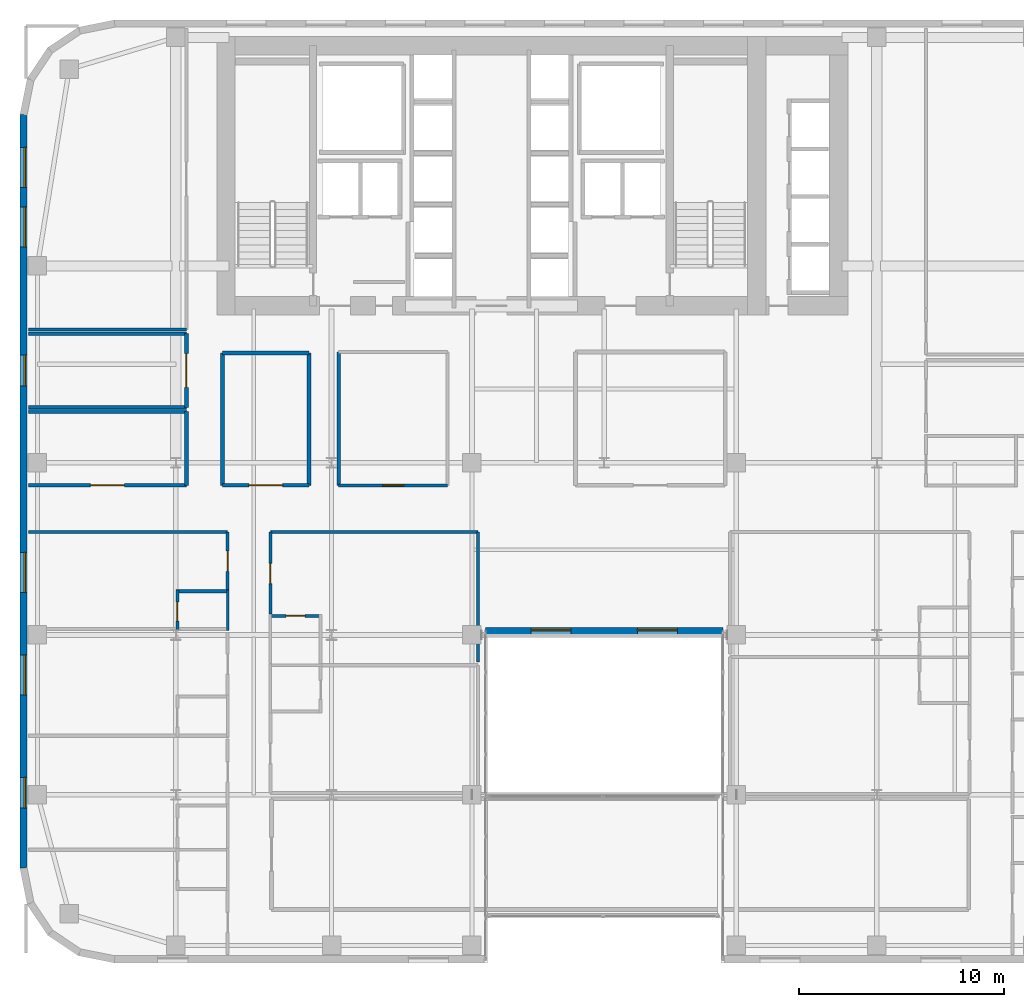
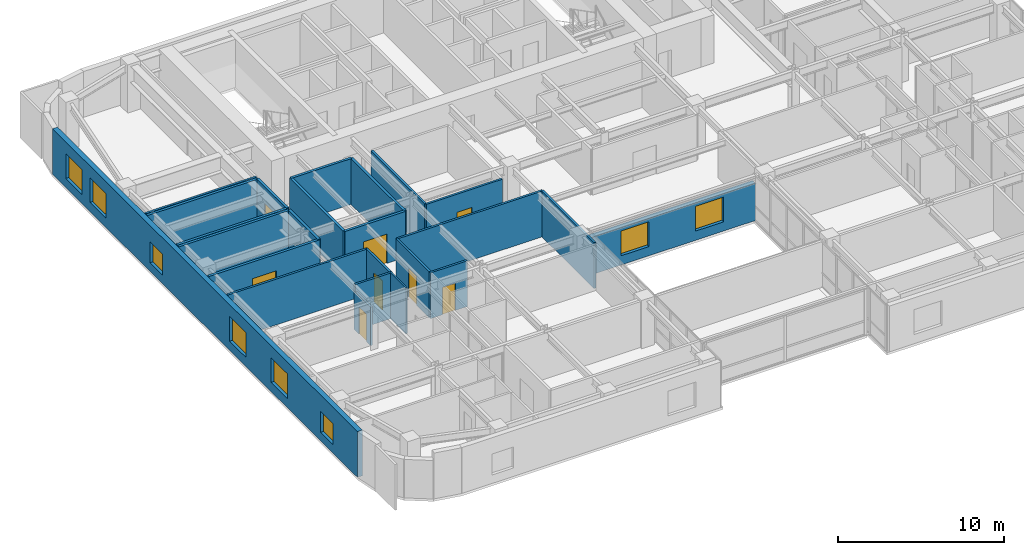
# One storey, part 19 of 25: 24 walls, 8 doors, 8 windows, 16 openings.
"""IFC4 building model written with IfcOpenShell, lengths in metres."""

from ifc_helpers import new_model, si_unit, direction, frame, frame_2d, origin, place, context, subcontext, project, spatial, rectangle, extrude, source, transform, mapped, material, layer, layer_set, type_object, type_shapes, element, fill, save


model = new_model("IFC4")

# Units and contexts
model_context = context("Model", 3, precision=1e-05, world=origin(), true_north=direction((0.0, 1.0)))
body_context = subcontext(model_context, "Body", "Model", "MODEL_VIEW")
ifc_project = project(units=[si_unit("LENGTHUNIT", "METRE"), si_unit("AREAUNIT", "SQUARE_METRE"), si_unit("VOLUMEUNIT", "CUBIC_METRE"), si_unit("PLANEANGLEUNIT", "RADIAN"), si_unit("MASSUNIT", "GRAM", prefix="KILO")], contexts=[model_context])

# Site, building, storey
site_placement = place(None, origin())
site = spatial("IfcSite", under=ifc_project, at=site_placement, CompositionType="ELEMENT")
building_placement = place(site_placement, origin())
building = spatial("IfcBuilding", under=site, at=building_placement, Name="Tolvann Quenvar Hotel", CompositionType="ELEMENT")
storey_placement = place(building_placement, frame((0.0, 0.0, 78.14990234375)))
storey = spatial("IfcBuildingStorey", under=building, at=storey_placement, Name="L19", CompositionType="ELEMENT", Elevation=78.14990234375)

# Wall, openings, windows
ifc_material_1 = material(Name="Kiln-fired red and buff architectural clay brickwork and terracotta masonry", Category="masonry")
ifc_layer_1 = layer(ifc_material_1, 0.35009765625)
ifc_layer_set_1 = layer_set([ifc_layer_1], Name="Kiln-fired red and buff architectural clay brickwork and terracotta masonry")
wall_type_1 = type_object("IfcWallType", Name="WALL_EXT_BRICK_350", PredefinedType="SOLIDWALL", material=ifc_layer_set_1)
wall_1_placement = place(storey_placement, frame((22.7099609375, 16.175048828125, 0.0), z_axis=(0.0, 0.0, 1.0), x_axis=(1.0, 0.0, 0.0)))
wall_1 = element("IfcWall", 1, at=wall_1_placement, inside=storey, type_object=wall_type_1, Name="Exterior Chicago Brick Wall L19-E06", PredefinedType="SOLIDWALL", context=body_context, shape_type="SweptSolid", body=[
    extrude(rectangle(XDim=11.580078125, YDim=0.35009765625, at=frame_2d((5.7900390625, 0.0))), origin(), (0.0, 0.0, 1.0), 2.748046875),
])
opening_1_placement = place(wall_1_placement, frame((2.219970703125, 0.0, 0.679931640625)))
opening_1 = element("IfcOpeningElement", 2, at=opening_1_placement, cuts=wall_1, Name="Opening W-10", PredefinedType="OPENING", context=body_context, shape_type="SweptSolid", body=[
    extrude(rectangle(XDim=1.949951171875, YDim=1.820068359375, at=frame_2d((0.97509765625, 0.91015625))), frame((0.0, 0.18505859375, 0.0), z_axis=(0.0, -1.0, 0.0), x_axis=(1.0, 0.0, 0.0)), (0.0, 0.0, 1.0), 0.3701171875),
])
opening_2_placement = place(wall_1_placement, frame((7.409912109375, 0.0, 0.679931640625)))
opening_2 = element("IfcOpeningElement", 3, at=opening_2_placement, cuts=wall_1, Name="Opening W-10", PredefinedType="OPENING", context=body_context, shape_type="SweptSolid", body=[
    extrude(rectangle(XDim=1.949951171875, YDim=1.820068359375, at=frame_2d((0.97509765625, 0.91015625))), frame((0.0, 0.18505859375, 0.0), z_axis=(0.0, -1.0, 0.0), x_axis=(1.0, 0.0, 0.0)), (0.0, 0.0, 1.0), 0.3701171875),
])
ifc_material_2 = material(Name="Thermally broken bronze-anodised aluminium frame with double low-E glazing", Category="aluminium")
window_type_1 = type_object("IfcWindowType", Name="WIN_CLB_1950x1850", PartitioningType="DOUBLE_PANEL_VERTICAL", PredefinedType="WINDOW", material=ifc_material_2)
shared_shape_1 = source(origin(), body_context, "Body", "SweptSolid", [
    extrude(rectangle(XDim=1.949951171875, YDim=1.820068359375, at=frame_2d((0.97509765625, 0.91015625))), frame((0.0, 0.090087890625, 0.0), z_axis=(0.0, -1.0, 0.0), x_axis=(1.0, 0.0, 0.0)), (0.0, 0.0, 1.0), 0.06005859375),
])
type_shapes(window_type_1, [shared_shape_1])
window_1_placement = place(opening_1_placement, origin())
window_1 = element("IfcWindow", 4, at=window_1_placement, inside=storey, type_object=window_type_1, Name="Chicago Window W-10 (EW-L19-E06-W01)", OverallHeight=1.820068359375, OverallWidth=1.949951171875, PartitioningType="DOUBLE_PANEL_VERTICAL", PredefinedType="WINDOW", context=body_context, shape_type="MappedRepresentation", body=[
    mapped(shared_shape_1, transform((0.0, 0.0, 0.0), x_axis=(1.0, 0.0, 0.0), y_axis=(0.0, 1.0, 0.0), z_axis=(0.0, 0.0, 1.0), scale=1.0)),
])
fill(opening_1, window_1)
window_2_placement = place(opening_2_placement, origin())
window_2 = element("IfcWindow", 5, at=window_2_placement, inside=storey, type_object=window_type_1, Name="Chicago Window W-10 (EW-L19-E06-W02)", OverallHeight=1.820068359375, OverallWidth=1.949951171875, PartitioningType="DOUBLE_PANEL_VERTICAL", PredefinedType="WINDOW", context=body_context, shape_type="MappedRepresentation", body=[
    mapped(shared_shape_1, transform((0.0, 0.0, 0.0), x_axis=(1.0, 0.0, 0.0), y_axis=(0.0, 1.0, 0.0), z_axis=(0.0, 0.0, 1.0), scale=1.0)),
])
fill(opening_2, window_2)

wall_2_placement = place(storey_placement, frame((0.175048828125, 41.3828125, 0.0), z_axis=(0.0, 0.0, 1.0), x_axis=(0.0, -1.0, 0.0)))
wall_2 = element("IfcWall", 6, at=wall_2_placement, inside=storey, type_object=wall_type_1, Name="Exterior Chicago Brick Wall L19-E23", PredefinedType="SOLIDWALL", context=body_context, shape_type="SweptSolid", body=[
    extrude(rectangle(XDim=36.765625, YDim=0.35009765625, at=frame_2d((18.3828125, 0.0))), origin(), (0.0, 0.0, 1.0), 3.3701171875),
])
opening_3_placement = place(wall_2_placement, frame((1.60107421875, 0.0, 0.679931640625)))
opening_3 = element("IfcOpeningElement", 7, at=opening_3_placement, cuts=wall_2, Name="Opening W-10", PredefinedType="OPENING", context=body_context, shape_type="SweptSolid", body=[
    extrude(rectangle(XDim=1.949951171875, YDim=1.820068359375, at=frame_2d((0.97509765625, 0.91015625))), frame((0.0, 0.18505859375, 0.0), z_axis=(0.0, -1.0, 0.0), x_axis=(1.0, 0.0, 0.0)), (0.0, 0.0, 1.0), 0.3701171875),
])
opening_4_placement = place(wall_2_placement, frame((4.5029296875, 0.0, 0.679931640625)))
opening_4 = element("IfcOpeningElement", 8, at=opening_4_placement, cuts=wall_2, Name="Opening W-10", PredefinedType="OPENING", context=body_context, shape_type="SweptSolid", body=[
    extrude(rectangle(XDim=1.949951171875, YDim=1.820068359375, at=frame_2d((0.97509765625, 0.91015625))), frame((0.0, 0.18505859375, 0.0), z_axis=(0.0, -1.0, 0.0), x_axis=(1.0, 0.0, 0.0)), (0.0, 0.0, 1.0), 0.3701171875),
])
opening_5_placement = place(wall_2_placement, frame((21.360107421875, 0.0, 0.679931640625)))
opening_5 = element("IfcOpeningElement", 9, at=opening_5_placement, cuts=wall_2, Name="Opening W-10", PredefinedType="OPENING", context=body_context, shape_type="SweptSolid", body=[
    extrude(rectangle(XDim=1.949951171875, YDim=1.820068359375, at=frame_2d((0.97509765625, 0.91015625))), frame((0.0, 0.18505859375, 0.0), z_axis=(0.0, -1.0, 0.0), x_axis=(1.0, 0.0, 0.0)), (0.0, 0.0, 1.0), 0.3701171875),
])
opening_6_placement = place(wall_2_placement, frame((26.361083984375, 0.0, 0.679931640625)))
opening_6 = element("IfcOpeningElement", 10, at=opening_6_placement, cuts=wall_2, Name="Opening W-10", PredefinedType="OPENING", context=body_context, shape_type="SweptSolid", body=[
    extrude(rectangle(XDim=1.949951171875, YDim=1.820068359375, at=frame_2d((0.97509765625, 0.91015625))), frame((0.0, 0.18505859375, 0.0), z_axis=(0.0, -1.0, 0.0), x_axis=(1.0, 0.0, 0.0)), (0.0, 0.0, 1.0), 0.3701171875),
])
opening_7_placement = place(wall_2_placement, frame((32.3330078125, 0.0, 0.6201171875)))
opening_7 = element("IfcOpeningElement", 11, at=opening_7_placement, cuts=wall_2, Name="Opening W-08", PredefinedType="OPENING", context=body_context, shape_type="SweptSolid", body=[
    extrude(rectangle(XDim=1.5, YDim=1.550048828125, at=frame_2d((0.75, 0.77490234375))), frame((0.0, 0.18505859375, 0.0), z_axis=(0.0, -1.0, 0.0), x_axis=(1.0, 0.0, 0.0)), (0.0, 0.0, 1.0), 0.3701171875),
])
opening_8_placement = place(wall_2_placement, frame((11.73291015625, 0.0, 0.6201171875)))
opening_8 = element("IfcOpeningElement", 12, at=opening_8_placement, cuts=wall_2, Name="Opening W-08", PredefinedType="OPENING", context=body_context, shape_type="SweptSolid", body=[
    extrude(rectangle(XDim=1.5, YDim=1.550048828125, at=frame_2d((0.75, 0.77490234375))), frame((0.0, 0.18505859375, 0.0), z_axis=(0.0, -1.0, 0.0), x_axis=(1.0, 0.0, 0.0)), (0.0, 0.0, 1.0), 0.3701171875),
])
window_type_2 = type_object("IfcWindowType", Name="WIN_COR_1500x2050", PartitioningType="SINGLE_PANEL", PredefinedType="WINDOW", material=ifc_material_2)
shared_shape_2 = source(origin(), body_context, "Body", "SweptSolid", [
    extrude(rectangle(XDim=1.5, YDim=1.550048828125, at=frame_2d((0.75, 0.77490234375))), frame((0.0, 0.090087890625, 0.0), z_axis=(0.0, -1.0, 0.0), x_axis=(1.0, 0.0, 0.0)), (0.0, 0.0, 1.0), 0.06005859375),
])
type_shapes(window_type_2, [shared_shape_2])
window_3_placement = place(opening_7_placement, origin())
window_3 = element("IfcWindow", 13, at=window_3_placement, inside=storey, type_object=window_type_2, Name="Chicago Window W-08 (EW-L19-E23-WD05)", OverallHeight=1.550048828125, OverallWidth=1.5, PartitioningType="SINGLE_PANEL", PredefinedType="WINDOW", context=body_context, shape_type="MappedRepresentation", body=[
    mapped(shared_shape_2, transform((0.0, 0.0, 0.0), x_axis=(1.0, 0.0, 0.0), y_axis=(0.0, 1.0, 0.0), z_axis=(0.0, 0.0, 1.0), scale=1.0)),
])
fill(opening_7, window_3)
window_4_placement = place(opening_8_placement, origin())
window_4 = element("IfcWindow", 14, at=window_4_placement, inside=storey, type_object=window_type_2, Name="Chicago Window W-08 (EW-L19-E23-WD06)", OverallHeight=1.550048828125, OverallWidth=1.5, PartitioningType="SINGLE_PANEL", PredefinedType="WINDOW", context=body_context, shape_type="MappedRepresentation", body=[
    mapped(shared_shape_2, transform((0.0, 0.0, 0.0), x_axis=(1.0, 0.0, 0.0), y_axis=(0.0, 1.0, 0.0), z_axis=(0.0, 0.0, 1.0), scale=1.0)),
])
fill(opening_8, window_4)
window_5_placement = place(opening_3_placement, origin())
window_5 = element("IfcWindow", 15, at=window_5_placement, inside=storey, type_object=window_type_1, Name="Chicago Window W-10 (EW-L19-E23-W01)", OverallHeight=1.820068359375, OverallWidth=1.949951171875, PartitioningType="DOUBLE_PANEL_VERTICAL", PredefinedType="WINDOW", context=body_context, shape_type="MappedRepresentation", body=[
    mapped(shared_shape_1, transform((0.0, 0.0, 0.0), x_axis=(1.0, 0.0, 0.0), y_axis=(0.0, 1.0, 0.0), z_axis=(0.0, 0.0, 1.0), scale=1.0)),
])
fill(opening_3, window_5)
window_6_placement = place(opening_4_placement, origin())
window_6 = element("IfcWindow", 16, at=window_6_placement, inside=storey, type_object=window_type_1, Name="Chicago Window W-10 (EW-L19-E23-W02)", OverallHeight=1.820068359375, OverallWidth=1.949951171875, PartitioningType="DOUBLE_PANEL_VERTICAL", PredefinedType="WINDOW", context=body_context, shape_type="MappedRepresentation", body=[
    mapped(shared_shape_1, transform((0.0, 0.0, 0.0), x_axis=(1.0, 0.0, 0.0), y_axis=(0.0, 1.0, 0.0), z_axis=(0.0, 0.0, 1.0), scale=1.0)),
])
fill(opening_4, window_6)
window_7_placement = place(opening_5_placement, origin())
window_7 = element("IfcWindow", 17, at=window_7_placement, inside=storey, type_object=window_type_1, Name="Chicago Window W-10 (EW-L19-E23-W03)", OverallHeight=1.820068359375, OverallWidth=1.949951171875, PartitioningType="DOUBLE_PANEL_VERTICAL", PredefinedType="WINDOW", context=body_context, shape_type="MappedRepresentation", body=[
    mapped(shared_shape_1, transform((0.0, 0.0, 0.0), x_axis=(1.0, 0.0, 0.0), y_axis=(0.0, 1.0, 0.0), z_axis=(0.0, 0.0, 1.0), scale=1.0)),
])
fill(opening_5, window_7)
window_8_placement = place(opening_6_placement, origin())
window_8 = element("IfcWindow", 18, at=window_8_placement, inside=storey, type_object=window_type_1, Name="Chicago Window W-10 (EW-L19-E23-W04)", OverallHeight=1.820068359375, OverallWidth=1.949951171875, PartitioningType="DOUBLE_PANEL_VERTICAL", PredefinedType="WINDOW", context=body_context, shape_type="MappedRepresentation", body=[
    mapped(shared_shape_1, transform((0.0, 0.0, 0.0), x_axis=(1.0, 0.0, 0.0), y_axis=(0.0, 1.0, 0.0), z_axis=(0.0, 0.0, 1.0), scale=1.0)),
])
fill(opening_6, window_8)

# Wall, opening, door
ifc_material_3 = material(Name="Acoustic twin-stud fire-rated gypsum plasterboard partition")
ifc_layer_2 = layer(ifc_material_3, 0.179931640625)
ifc_layer_set_2 = layer_set([ifc_layer_2], Name="Acoustic twin-stud fire-rated gypsum plasterboard partition")
wall_type_2 = type_object("IfcWallType", Name="WALL_PART_ACOUSTIC_180", PredefinedType="PARTITIONING", material=ifc_layer_set_2)
wall_3_placement = place(storey_placement, frame((0.405029296875, 23.300048828125, 0.0), z_axis=(0.0, 0.0, 1.0), x_axis=(1.0, 0.0, 0.0)))
wall_3 = element("IfcWall", 19, at=wall_3_placement, inside=storey, type_object=wall_type_2, Name="Interior Partition PT-SPC-L19-SAL-S", PredefinedType="PARTITIONING", context=body_context, shape_type="SweptSolid", body=[
    extrude(rectangle(XDim=7.715087890625, YDim=0.179931640625, at=frame_2d((3.857421875, 0.0))), origin(), (0.0, 0.0, 1.0), 3.3701171875),
])
opening_9_placement = place(wall_3_placement, frame((3.032470703125, 0.0, 0.0)))
opening_9 = element("IfcOpeningElement", 20, at=opening_9_placement, cuts=wall_3, Name="Opening AD-01", PredefinedType="OPENING", context=body_context, shape_type="SweptSolid", body=[
    extrude(rectangle(XDim=1.64990234375, YDim=2.14990234375, at=frame_2d((0.824951171875, 1.074951171875))), frame((0.0, 0.10009765625, 0.0), z_axis=(0.0, -1.0, 0.0), x_axis=(1.0, 0.0, 0.0)), (0.0, 0.0, 1.0), 0.199951171875),
])
ifc_material_4 = material(Name="Solid-core American oak acoustic fire door leaf in steel frame", Category="steel")
door_type_1 = type_object("IfcDoorType", Name="DOOR_SALON_1650", OperationType="NOTDEFINED", PredefinedType="DOOR", material=ifc_material_4)
shared_shape_3 = source(origin(), body_context, "Body", "SweptSolid", [
    extrude(rectangle(XDim=1.64990234375, YDim=2.14990234375, at=frame_2d((0.824951171875, 1.074951171875))), frame((0.0, 0.02490234375, 0.0), z_axis=(0.0, -1.0, 0.0), x_axis=(1.0, 0.0, 0.0)), (0.0, 0.0, 1.0), 0.050048828125),
])
type_shapes(door_type_1, [shared_shape_3])
door_1_placement = place(opening_9_placement, origin())
door_1 = element("IfcDoor", 21, at=door_1_placement, inside=storey, type_object=door_type_1, Name="Interior Door DOOR-SPC-L19-SAL", OperationType="DOUBLE_DOOR_SINGLE_SWING", OverallHeight=2.14990234375, OverallWidth=1.64990234375, PredefinedType="DOOR", context=body_context, shape_type="MappedRepresentation", body=[
    mapped(shared_shape_3, transform((0.0, 0.0, 0.0), x_axis=(1.0, 0.0, 0.0), y_axis=(0.0, 1.0, 0.0), z_axis=(0.0, 0.0, 1.0), scale=1.0)),
])
fill(opening_9, door_1)

# Walls
wall_4_placement = place(storey_placement, frame((0.405029296875, 26.89990234375, 0.0), z_axis=(0.0, 0.0, 1.0), x_axis=(1.0, 0.0, 0.0)))
element("IfcWall", 22, at=wall_4_placement, inside=storey, type_object=wall_type_2, Name="Interior Partition PT-SPC-L19-SAL-N", PredefinedType="PARTITIONING", context=body_context, shape_type="SweptSolid", body=[
    extrude(rectangle(XDim=7.715087890625, YDim=0.179931640625, at=frame_2d((3.857421875, 0.0))), origin(), (0.0, 0.0, 1.0), 3.3701171875),
])
wall_5_placement = place(storey_placement, frame((8.1201171875, 23.300048828125, 0.0), z_axis=(0.0, 0.0, 1.0), x_axis=(0.0, 1.0, 0.0)))
element("IfcWall", 23, at=wall_5_placement, inside=storey, type_object=wall_type_2, Name="Interior Partition PT-SPC-L19-SAL-E", PredefinedType="PARTITIONING", context=body_context, shape_type="SweptSolid", body=[
    extrude(rectangle(XDim=3.599853515625, YDim=0.179931640625, at=frame_2d((1.7998046875, 0.0))), origin(), (0.0, 0.0, 1.0), 3.3701171875),
])
for number, where, z_axis, x_axis, name in (
    (24, (0.405029296875, 27.10009765625, 0.0), (0.0, 0.0, 1.0), (1.0, 0.0, 0.0), "Interior Partition PT-SPC-L19-MTG-S"),
    (25, (0.405029296875, 30.699951171875, 0.0), (0.0, 0.0, 1.0), (1.0, 0.0, 0.0), "Interior Partition PT-SPC-L19-MTG-N"),
):
    element("IfcWall", number, at=place(storey_placement, frame(where, z_axis=z_axis, x_axis=x_axis)), inside=storey, type_object=wall_type_2, Name=name, PredefinedType="PARTITIONING", context=body_context, shape_type="SweptSolid", body=[
        extrude(rectangle(XDim=7.715087890625, YDim=0.179931640625, at=frame_2d((3.857421875, 0.0))), origin(), (0.0, 0.0, 1.0), 3.3701171875),
    ])

# Wall, opening, door
wall_6_placement = place(storey_placement, frame((8.1201171875, 27.10009765625, 0.0), z_axis=(0.0, 0.0, 1.0), x_axis=(0.0, 1.0, 0.0)))
wall_6 = element("IfcWall", 26, at=wall_6_placement, inside=storey, type_object=wall_type_2, Name="Interior Partition PT-SPC-L19-MTG-E", PredefinedType="PARTITIONING", context=body_context, shape_type="SweptSolid", body=[
    extrude(rectangle(XDim=3.599853515625, YDim=0.179931640625, at=frame_2d((1.7998046875, 0.0))), origin(), (0.0, 0.0, 1.0), 3.3701171875),
])
opening_10_placement = place(wall_6_placement, frame((0.97509765625, 0.0, 0.0)))
opening_10 = element("IfcOpeningElement", 27, at=opening_10_placement, cuts=wall_6, Name="Opening AD-01", PredefinedType="OPENING", context=body_context, shape_type="SweptSolid", body=[
    extrude(rectangle(XDim=1.64990234375, YDim=2.14990234375, at=frame_2d((0.824951171875, 1.074951171875))), frame((0.0, 0.10009765625, 0.0), z_axis=(0.0, -1.0, 0.0), x_axis=(1.0, 0.0, 0.0)), (0.0, 0.0, 1.0), 0.199951171875),
])
door_2_placement = place(opening_10_placement, origin())
door_2 = element("IfcDoor", 28, at=door_2_placement, inside=storey, type_object=door_type_1, Name="Interior Door DOOR-SPC-L19-MTG", OperationType="DOUBLE_DOOR_SINGLE_SWING", OverallHeight=2.14990234375, OverallWidth=1.64990234375, PredefinedType="DOOR", context=body_context, shape_type="MappedRepresentation", body=[
    mapped(shared_shape_3, transform((0.0, 0.0, 0.0), x_axis=(1.0, 0.0, 0.0), y_axis=(0.0, 1.0, 0.0), z_axis=(0.0, 0.0, 1.0), scale=1.0)),
])
fill(opening_10, door_2)

wall_7_placement = place(storey_placement, frame((9.8798828125, 23.300048828125, 0.0), z_axis=(0.0, 0.0, 1.0), x_axis=(1.0, 0.0, 0.0)))
wall_7 = element("IfcWall", 29, at=wall_7_placement, inside=storey, type_object=wall_type_2, Name="Interior Partition PT-SPC-L19-MSP-W-S", PredefinedType="PARTITIONING", context=body_context, shape_type="SweptSolid", body=[
    extrude(rectangle(XDim=4.22021484375, YDim=0.179931640625, at=frame_2d((2.110107421875, 0.0))), origin(), (0.0, 0.0, 1.0), 3.3701171875),
])
opening_11_placement = place(wall_7_placement, frame((1.284912109375, 0.0, 0.0)))
opening_11 = element("IfcOpeningElement", 30, at=opening_11_placement, cuts=wall_7, Name="Opening AD-01", PredefinedType="OPENING", context=body_context, shape_type="SweptSolid", body=[
    extrude(rectangle(XDim=1.64990234375, YDim=2.14990234375, at=frame_2d((0.824951171875, 1.074951171875))), frame((0.0, 0.10009765625, 0.0), z_axis=(0.0, -1.0, 0.0), x_axis=(1.0, 0.0, 0.0)), (0.0, 0.0, 1.0), 0.199951171875),
])
door_3_placement = place(opening_11_placement, origin())
door_3 = element("IfcDoor", 31, at=door_3_placement, inside=storey, type_object=door_type_1, Name="Interior Door DOOR-SPC-L19-MSP-W", OperationType="DOUBLE_DOOR_SINGLE_SWING", OverallHeight=2.14990234375, OverallWidth=1.64990234375, PredefinedType="DOOR", context=body_context, shape_type="MappedRepresentation", body=[
    mapped(shared_shape_3, transform((0.0, 0.0, 0.0), x_axis=(1.0, 0.0, 0.0), y_axis=(0.0, 1.0, 0.0), z_axis=(0.0, 0.0, 1.0), scale=1.0)),
])
fill(opening_11, door_3)

# Walls
wall_8_placement = place(storey_placement, frame((9.8798828125, 29.75, 0.0), z_axis=(0.0, 0.0, 1.0), x_axis=(1.0, 0.0, 0.0)))
element("IfcWall", 32, at=wall_8_placement, inside=storey, type_object=wall_type_2, Name="Interior Partition PT-SPC-L19-MSP-W-N", PredefinedType="PARTITIONING", context=body_context, shape_type="SweptSolid", body=[
    extrude(rectangle(XDim=4.22021484375, YDim=0.179931640625, at=frame_2d((2.110107421875, 0.0))), origin(), (0.0, 0.0, 1.0), 3.3701171875),
])
for number, where, z_axis, x_axis, name in (
    (33, (9.8798828125, 23.300048828125, 0.0), (0.0, 0.0, 1.0), (0.0, 1.0, 0.0), "Interior Partition PT-SPC-L19-MSP-W-W"),
    (34, (14.10009765625, 23.300048828125, 0.0), (0.0, 0.0, 1.0), (0.0, 1.0, 0.0), "Interior Partition PT-SPC-L19-MSP-W-E"),
):
    element("IfcWall", number, at=place(storey_placement, frame(where, z_axis=z_axis, x_axis=x_axis)), inside=storey, type_object=wall_type_2, Name=name, PredefinedType="PARTITIONING", context=body_context, shape_type="SweptSolid", body=[
        extrude(rectangle(XDim=6.449951171875, YDim=0.179931640625, at=frame_2d((3.22509765625, 0.0))), origin(), (0.0, 0.0, 1.0), 3.3701171875),
    ])
ifc_material_5 = material(Name="Moisture-resistant acoustic plumbing wall assembly")
ifc_layer_3 = layer(ifc_material_5, 0.1201171875)
ifc_layer_set_3 = layer_set([ifc_layer_3], Name="Moisture-resistant acoustic plumbing wall assembly")
wall_type_3 = type_object("IfcWallType", Name="WALL_PART_BATH_120", PredefinedType="PLUMBINGWALL", material=ifc_layer_set_3)
wall_9_placement = place(storey_placement, frame((10.1298828125, 16.2099609375, 0.0), z_axis=(0.0, 0.0, 1.0), x_axis=(0.0, 1.0, 0.0)))
element("IfcWall", 35, at=wall_9_placement, inside=storey, type_object=wall_type_3, Name="Non-Rated Plumbing Partition PT-SPC-L19-ENS-WO04-E", PredefinedType="PLUMBINGWALL", context=body_context, shape_type="SweptSolid", body=[
    extrude(rectangle(XDim=1.989990234375, YDim=0.1201171875, at=frame_2d((0.9951171875, 0.0))), origin(), (0.0, 0.0, 1.0), 3.3701171875),
])

# Wall, opening, door
ifc_layer_4 = layer(ifc_material_3, 0.14990234375)
ifc_layer_set_4 = layer_set([ifc_layer_4], Name="Acoustic twin-stud fire-rated gypsum plasterboard partition")
wall_type_4 = type_object("IfcWallType", Name="WALL_PART_SUITE_150", PredefinedType="PARTITIONING", material=ifc_layer_set_4)
wall_10_placement = place(storey_placement, frame((7.679931640625, 16.2099609375, 0.0), z_axis=(0.0, 0.0, 1.0), x_axis=(0.0, 1.0, 0.0)))
wall_10 = element("IfcWall", 36, at=wall_10_placement, inside=storey, type_object=wall_type_4, Name="Interior Partition PT-SPC-L19-ENS-WO04-ENT", PredefinedType="PARTITIONING", context=body_context, shape_type="SweptSolid", body=[
    extrude(rectangle(XDim=1.989990234375, YDim=0.14990234375, at=frame_2d((0.9951171875, 0.0))), origin(), (0.0, 0.0, 1.0), 2.8271484375),
])
opening_12_placement = place(wall_10_placement, frame((0.465087890625, 0.0, 0.0)))
opening_12 = element("IfcOpeningElement", 37, at=opening_12_placement, cuts=wall_10, Name="Opening WD-01", PredefinedType="OPENING", context=body_context, shape_type="SweptSolid", body=[
    extrude(rectangle(XDim=0.919921875, YDim=2.010009765625, at=frame_2d((0.4599609375, 1.0048828125))), frame((0.0, 0.0849609375, 0.0), z_axis=(0.0, -1.0, 0.0), x_axis=(1.0, 0.0, 0.0)), (0.0, 0.0, 1.0), 0.169921875),
])
door_type_2 = type_object("IfcDoorType", Name="DOOR_WC_920", OperationType="NOTDEFINED", PredefinedType="DOOR", material=ifc_material_4)
shared_shape_4 = source(origin(), body_context, "Body", "SweptSolid", [
    extrude(rectangle(XDim=0.919921875, YDim=2.010009765625, at=frame_2d((0.4599609375, 1.0048828125))), frame((0.0, 0.02490234375, 0.0), z_axis=(0.0, -1.0, 0.0), x_axis=(1.0, 0.0, 0.0)), (0.0, 0.0, 1.0), 0.050048828125),
])
type_shapes(door_type_2, [shared_shape_4])
door_4_placement = place(opening_12_placement, origin())
door_4 = element("IfcDoor", 38, at=door_4_placement, inside=storey, type_object=door_type_2, Name="Interior Door DOOR-SPC-L19-ENS-WO04", OperationType="SINGLE_SWING_LEFT", OverallHeight=2.010009765625, OverallWidth=0.919921875, PredefinedType="DOOR", context=body_context, shape_type="MappedRepresentation", body=[
    mapped(shared_shape_4, transform((0.0, 0.0, 0.0), x_axis=(1.0, 0.0, 0.0), y_axis=(0.0, 1.0, 0.0), z_axis=(0.0, 0.0, 1.0), scale=1.0)),
])
fill(opening_12, door_4)

# Wall
wall_11_placement = place(storey_placement, frame((7.610107421875, 18.1298828125, 0.0), z_axis=(0.0, 0.0, 1.0), x_axis=(1.0, 0.0, 0.0)))
element("IfcWall", 39, at=wall_11_placement, inside=storey, type_object=wall_type_4, Name="Interior Partition PT-SPC-L19-ENS-WO04-N", PredefinedType="PARTITIONING", context=body_context, shape_type="SweptSolid", body=[
    extrude(rectangle(XDim=2.58984375, YDim=0.14990234375, at=frame_2d((1.294921875, 0.0))), origin(), (0.0, 0.0, 1.0), 3.3701171875),
])

# Wall, opening, door
wall_12_placement = place(storey_placement, frame((12.14990234375, 16.929931640625, 0.0), z_axis=(0.0, 0.0, 1.0), x_axis=(1.0, 0.0, 0.0)))
wall_12 = element("IfcWall", 40, at=wall_12_placement, inside=storey, type_object=wall_type_4, Name="Interior Partition PT-SPC-L19-ENS-WI02-N", PredefinedType="PARTITIONING", context=body_context, shape_type="SweptSolid", body=[
    extrude(rectangle(XDim=2.590087890625, YDim=0.14990234375, at=frame_2d((1.294921875, 0.0))), origin(), (0.0, 0.0, 1.0), 3.3701171875),
])
opening_13_placement = place(wall_12_placement, frame((0.8349609375, 0.0, 0.0)))
opening_13 = element("IfcOpeningElement", 41, at=opening_13_placement, cuts=wall_12, Name="Opening WD-01", PredefinedType="OPENING", context=body_context, shape_type="SweptSolid", body=[
    extrude(rectangle(XDim=0.919921875, YDim=2.010009765625, at=frame_2d((0.4599609375, 1.0048828125))), frame((0.0, 0.0849609375, 0.0), z_axis=(0.0, -1.0, 0.0), x_axis=(1.0, 0.0, 0.0)), (0.0, 0.0, 1.0), 0.169921875),
])
door_5_placement = place(opening_13_placement, origin())
door_5 = element("IfcDoor", 42, at=door_5_placement, inside=storey, type_object=door_type_2, Name="Interior Door DOOR-SPC-L19-ENS-WI02", OperationType="SINGLE_SWING_LEFT", OverallHeight=2.010009765625, OverallWidth=0.919921875, PredefinedType="DOOR", context=body_context, shape_type="MappedRepresentation", body=[
    mapped(shared_shape_4, transform((0.0, 0.0, 0.0), x_axis=(1.0, 0.0, 0.0), y_axis=(0.0, 1.0, 0.0), z_axis=(0.0, 0.0, 1.0), scale=1.0)),
])
fill(opening_13, door_5)

wall_13_placement = place(storey_placement, frame((10.1298828125, 18.2099609375, 0.0), z_axis=(0.0, 0.0, 1.0), x_axis=(0.0, 1.0, 0.0)))
wall_13 = element("IfcWall", 43, at=wall_13_placement, inside=storey, type_object=wall_type_4, Name="Interior Partition PT-SPC-L19-RM-WO04-ENT", PredefinedType="PARTITIONING", context=body_context, shape_type="SweptSolid", body=[
    extrude(rectangle(XDim=2.81005859375, YDim=0.14990234375, at=frame_2d((1.405029296875, 0.0))), origin(), (0.0, 0.0, 1.0), 3.3701171875),
])
opening_14_placement = place(wall_13_placement, frame((0.89501953125, 0.0, 0.0)))
opening_14 = element("IfcOpeningElement", 44, at=opening_14_placement, cuts=wall_13, Name="Opening SD-01", PredefinedType="OPENING", context=body_context, shape_type="SweptSolid", body=[
    extrude(rectangle(XDim=0.97998046875, YDim=2.1201171875, at=frame_2d((0.489990234375, 1.06005859375))), frame((0.0, 0.0849609375, 0.0), z_axis=(0.0, -1.0, 0.0), x_axis=(1.0, 0.0, 0.0)), (0.0, 0.0, 1.0), 0.169921875),
])
door_type_3 = type_object("IfcDoorType", Name="DOOR_SUITE_980", OperationType="NOTDEFINED", PredefinedType="DOOR", material=ifc_material_4)
shared_shape_5 = source(origin(), body_context, "Body", "SweptSolid", [
    extrude(rectangle(XDim=0.97998046875, YDim=2.1201171875, at=frame_2d((0.489990234375, 1.06005859375))), frame((0.0, 0.02490234375, 0.0), z_axis=(0.0, -1.0, 0.0), x_axis=(1.0, 0.0, 0.0)), (0.0, 0.0, 1.0), 0.050048828125),
])
type_shapes(door_type_3, [shared_shape_5])
door_6_placement = place(opening_14_placement, origin())
door_6 = element("IfcDoor", 45, at=door_6_placement, inside=storey, type_object=door_type_3, Name="Interior Door DOOR-SPC-L19-RM-WO04", OperationType="SINGLE_SWING_LEFT", OverallHeight=2.1201171875, OverallWidth=0.97998046875, PredefinedType="DOOR", context=body_context, shape_type="MappedRepresentation", body=[
    mapped(shared_shape_5, transform((0.0, 0.0, 0.0), x_axis=(1.0, 0.0, 0.0), y_axis=(0.0, 1.0, 0.0), z_axis=(0.0, 0.0, 1.0), scale=1.0)),
])
fill(opening_14, door_6)

# Wall
wall_14_placement = place(storey_placement, frame((0.405029296875, 21.02001953125, 0.0), z_axis=(0.0, 0.0, 1.0), x_axis=(1.0, 0.0, 0.0)))
element("IfcWall", 46, at=wall_14_placement, inside=storey, type_object=wall_type_4, Name="Interior Partition PT-SPC-L19-RM-WO04-E5", PredefinedType="PARTITIONING", context=body_context, shape_type="SweptSolid", body=[
    extrude(rectangle(XDim=9.724853515625, YDim=0.14990234375, at=frame_2d((4.8623046875, 0.0))), origin(), (0.0, 0.0, 1.0), 3.3701171875),
])

# Wall, opening, door
wall_15_placement = place(storey_placement, frame((12.219970703125, 17.010009765625, 0.0), z_axis=(0.0, 0.0, 1.0), x_axis=(0.0, 1.0, 0.0)))
wall_15 = element("IfcWall", 47, at=wall_15_placement, inside=storey, type_object=wall_type_4, Name="Interior Partition PT-SPC-L19-RM-WI02-ENT", PredefinedType="PARTITIONING", context=body_context, shape_type="SweptSolid", body=[
    extrude(rectangle(XDim=4.010009765625, YDim=0.14990234375, at=frame_2d((2.0048828125, 0.0))), origin(), (0.0, 0.0, 1.0), 3.3701171875),
])
opening_15_placement = place(wall_15_placement, frame((1.4951171875, 0.0, 0.0)))
opening_15 = element("IfcOpeningElement", 48, at=opening_15_placement, cuts=wall_15, Name="Opening SD-01", PredefinedType="OPENING", context=body_context, shape_type="SweptSolid", body=[
    extrude(rectangle(XDim=0.97998046875, YDim=2.1201171875, at=frame_2d((0.489990234375, 1.06005859375))), frame((0.0, 0.0849609375, 0.0), z_axis=(0.0, -1.0, 0.0), x_axis=(1.0, 0.0, 0.0)), (0.0, 0.0, 1.0), 0.169921875),
])
door_7_placement = place(opening_15_placement, origin())
door_7 = element("IfcDoor", 49, at=door_7_placement, inside=storey, type_object=door_type_3, Name="Interior Door DOOR-SPC-L19-RM-WI02", OperationType="SINGLE_SWING_LEFT", OverallHeight=2.1201171875, OverallWidth=0.97998046875, PredefinedType="DOOR", context=body_context, shape_type="MappedRepresentation", body=[
    mapped(shared_shape_5, transform((0.0, 0.0, 0.0), x_axis=(1.0, 0.0, 0.0), y_axis=(0.0, 1.0, 0.0), z_axis=(0.0, 0.0, 1.0), scale=1.0)),
])
fill(opening_15, door_7)

# Walls
wall_16_placement = place(storey_placement, frame((22.35009765625, 14.679931640625, 0.0), z_axis=(0.0, 0.0, 1.0), x_axis=(0.0, 1.0, 0.0)))
element("IfcWall", 50, at=wall_16_placement, inside=storey, type_object=wall_type_4, Name="Interior Partition PT-SPC-L19-RM-WI02-E4", PredefinedType="PARTITIONING", context=body_context, shape_type="SweptSolid", body=[
    extrude(rectangle(XDim=6.340087890625, YDim=0.14990234375, at=frame_2d((3.169921875, 0.0))), origin(), (0.0, 0.0, 1.0), 3.3701171875),
])
wall_17_placement = place(storey_placement, frame((12.219970703125, 21.02001953125, 0.0), z_axis=(0.0, 0.0, 1.0), x_axis=(1.0, 0.0, 0.0)))
element("IfcWall", 51, at=wall_17_placement, inside=storey, type_object=wall_type_4, Name="Interior Partition PT-SPC-L19-RM-WI02-E5", PredefinedType="PARTITIONING", context=body_context, shape_type="SweptSolid", body=[
    extrude(rectangle(XDim=10.130126953125, YDim=0.14990234375, at=frame_2d((5.06494140625, 0.0))), origin(), (0.0, 0.0, 1.0), 3.3701171875),
])
wall_18_placement = place(storey_placement, frame((0.405029296875, 30.89990234375, 0.0), z_axis=(0.0, 0.0, 1.0), x_axis=(1.0, 0.0, 0.0)))
element("IfcWall", 52, at=wall_18_placement, inside=storey, type_object=wall_type_4, Name="Interior Partition PT-SPC-L19-TEA-S", PredefinedType="PARTITIONING", context=body_context, shape_type="SweptSolid", body=[
    extrude(rectangle(XDim=7.715087890625, YDim=0.14990234375, at=frame_2d((3.857421875, 0.0))), origin(), (0.0, 0.0, 1.0), 3.3701171875),
])

# Wall, opening, door
wall_19_placement = place(storey_placement, frame((15.550048828125, 23.300048828125, 0.0), z_axis=(0.0, 0.0, 1.0), x_axis=(1.0, 0.0, 0.0)))
wall_19 = element("IfcWall", 53, at=wall_19_placement, inside=storey, type_object=wall_type_4, Name="Interior Partition PT-SPC-L19-MSP-N-S", PredefinedType="PARTITIONING", context=body_context, shape_type="SweptSolid", body=[
    extrude(rectangle(XDim=5.300048828125, YDim=0.14990234375, at=frame_2d((2.64990234375, 0.0))), origin(), (0.0, 0.0, 1.0), 3.3701171875),
])
opening_16_placement = place(wall_19_placement, frame((2.139892578125, 0.0, 0.0)))
opening_16 = element("IfcOpeningElement", 54, at=opening_16_placement, cuts=wall_19, Name="Opening HD-01", PredefinedType="OPENING", context=body_context, shape_type="SweptSolid", body=[
    extrude(rectangle(XDim=1.02001953125, YDim=2.030029296875, at=frame_2d((0.510009765625, 1.01513671875))), frame((0.0, 0.0849609375, 0.0), z_axis=(0.0, -1.0, 0.0), x_axis=(1.0, 0.0, 0.0)), (0.0, 0.0, 1.0), 0.169921875),
])
ifc_material_6 = material(Name="Pressed galvanised steel fire-rated door set", Category="steel")
door_type_4 = type_object("IfcDoorType", Name="DOOR_BOH_1020", OperationType="NOTDEFINED", PredefinedType="DOOR", material=ifc_material_6)
shared_shape_6 = source(origin(), body_context, "Body", "SweptSolid", [
    extrude(rectangle(XDim=1.02001953125, YDim=2.030029296875, at=frame_2d((0.510009765625, 1.01513671875))), frame((0.0, 0.02490234375, 0.0), z_axis=(0.0, -1.0, 0.0), x_axis=(1.0, 0.0, 0.0)), (0.0, 0.0, 1.0), 0.050048828125),
])
type_shapes(door_type_4, [shared_shape_6])
door_8_placement = place(opening_16_placement, origin())
door_8 = element("IfcDoor", 55, at=door_8_placement, inside=storey, type_object=door_type_4, Name="Interior Door DOOR-SPC-L19-MSP-N", OperationType="SINGLE_SWING_LEFT", OverallHeight=2.030029296875, OverallWidth=1.02001953125, PredefinedType="DOOR", context=body_context, shape_type="MappedRepresentation", body=[
    mapped(shared_shape_6, transform((0.0, 0.0, 0.0), x_axis=(1.0, 0.0, 0.0), y_axis=(0.0, 1.0, 0.0), z_axis=(0.0, 0.0, 1.0), scale=1.0)),
])
fill(opening_16, door_8)

# Wall
wall_20_placement = place(storey_placement, frame((15.550048828125, 23.300048828125, 0.0), z_axis=(0.0, 0.0, 1.0), x_axis=(0.0, 1.0, 0.0)))
element("IfcWall", 56, at=wall_20_placement, inside=storey, type_object=wall_type_4, Name="Interior Partition PT-SPC-L19-MSP-N-W", PredefinedType="PARTITIONING", context=body_context, shape_type="SweptSolid", body=[
    extrude(rectangle(XDim=6.5, YDim=0.14990234375, at=frame_2d((3.25, 0.0))), origin(), (0.0, 0.0, 1.0), 3.3701171875),
])

save(model, "model.ifc")
